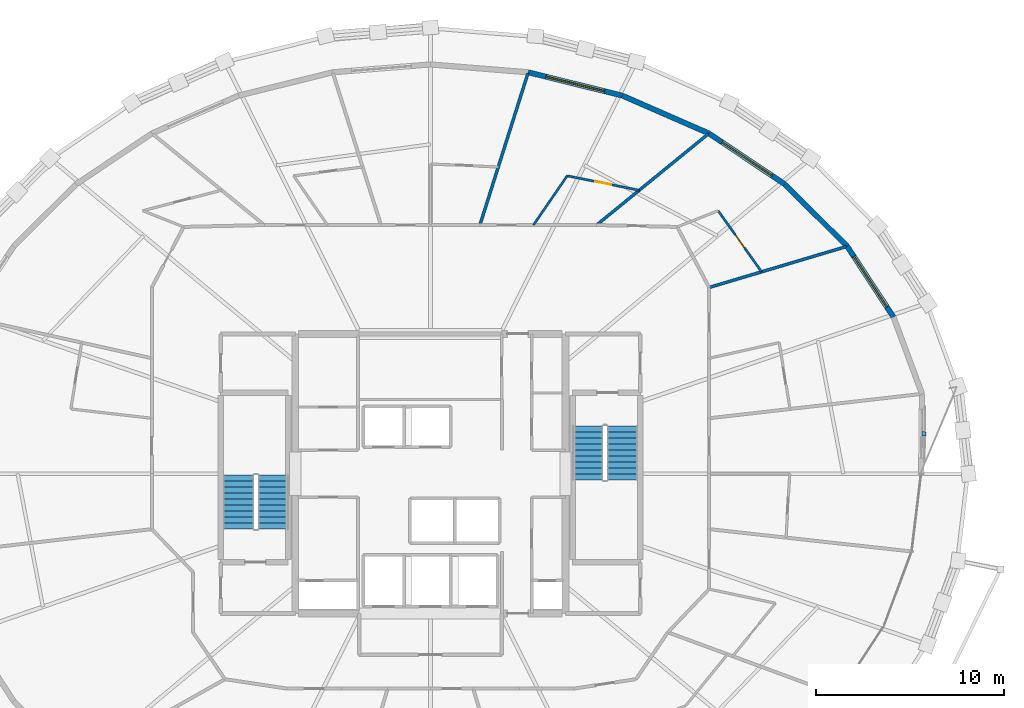
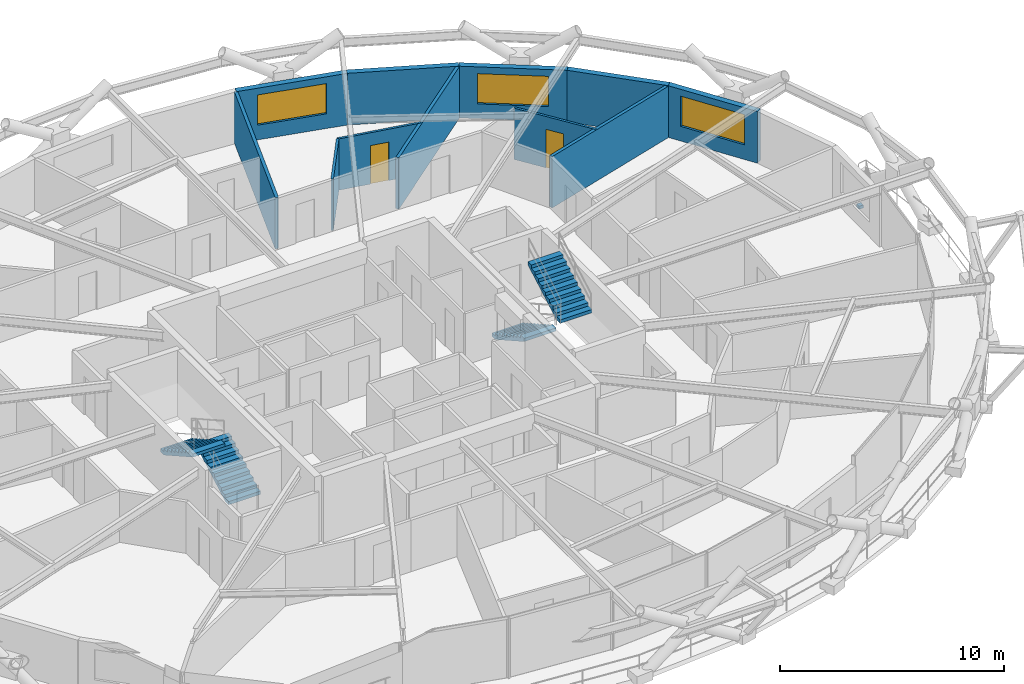
# One storey, part 18 of 21: 11 walls, 4 stair flights, 3 windows, 2 doors, 1 discrete accessory, 5 openings, 2 elements without a shape of their own.
"""IFC4 building model written with IfcOpenShell, lengths in metres."""

from ifc_helpers import new_model, si_unit, direction, frame, frame_2d, origin, origin_2d, place, context, subcontext, project, spatial, polyline, rectangle, outline, extrude, material, layer, layer_set, type_object, element, fill, aggregate, save


model = new_model("IFC4")

# Units and contexts
model_context = context("Model", 3, precision=1e-05, world=origin(), true_north=direction((0.0, 1.0)))
body_context = subcontext(model_context, "Body", "Model", "MODEL_VIEW")
ifc_project = project(units=[si_unit("LENGTHUNIT", "METRE"), si_unit("AREAUNIT", "SQUARE_METRE"), si_unit("VOLUMEUNIT", "CUBIC_METRE"), si_unit("PLANEANGLEUNIT", "RADIAN"), si_unit("MASSUNIT", "GRAM", prefix="KILO")], contexts=[model_context])

# Site, building, storey
site_placement = place(None, origin())
site = spatial("IfcSite", under=ifc_project, at=site_placement, CompositionType="ELEMENT")
building_placement = place(site_placement, origin())
building = spatial("IfcBuilding", under=site, at=building_placement, Name="Veldorina Hangang Commons", CompositionType="ELEMENT")
storey_placement = place(building_placement, frame((0.0, 0.0, 120.800048828125)))
storey = spatial("IfcBuildingStorey", under=building, at=storey_placement, Name="L30", CompositionType="ELEMENT", Elevation=120.800048828125)

# Wall, opening, window
ifc_material_1 = material(Name="Stone Roman Travertine", Category="masonry")
ifc_layer_1 = layer(ifc_material_1, 0.280029296875)
ifc_layer_set_1 = layer_set([ifc_layer_1], Name="Stone Roman Travertine")
wall_type_1 = type_object("IfcWallType", Name="EW-TRAV-280", PredefinedType="STANDARD", material=ifc_layer_set_1)
wall_1_placement = place(storey_placement, frame((56.674072265625, 32.34521484375, 0.0), z_axis=(0.0, 0.0, 1.0), x_axis=(-0.547716413999, 0.836664048371, 0.0)))
wall_1 = element("IfcWall", 1, at=wall_1_placement, inside=storey, type_object=wall_type_1, Name="L30 travertine facade wall 02", PredefinedType="STANDARD", context=body_context, shape_type="SweptSolid", body=[
    extrude(rectangle(XDim=4.506103515625, YDim=0.280029296875, at=frame_2d((2.2529296875, 0.0))), origin(), (0.0, 0.0, 1.0), 2.820068359375),
])
opening_1_placement = place(wall_1_placement, frame((0.653076171875, 0.0, 0.800048828125)))
opening_1 = element("IfcOpeningElement", 2, at=opening_1_placement, cuts=wall_1, Name="Opening W-01", PredefinedType="OPENING", context=body_context, shape_type="SweptSolid", body=[
    extrude(rectangle(XDim=3.199951171875, YDim=1.64990234375, at=frame_2d((1.60009765625, 0.824951171875))), frame((0.0, 0.14990234375, 0.0), z_axis=(0.0, -1.0, 0.0), x_axis=(1.0, 0.0, 0.0)), (0.0, 0.0, 1.0), 0.300048828125),
])
ifc_material_2 = material(Name="Glass Low-E Triple IGU", Category="glass")
window_type = type_object("IfcWindowType", Name="WIN-TWR-3200", PartitioningType="SINGLE_PANEL", PredefinedType="WINDOW", material=ifc_material_2)
window_1_placement = place(opening_1_placement, origin())
window_1 = element("IfcWindow", 3, at=window_1_placement, inside=storey, type_object=window_type, Name="L30 facade window 02", OverallHeight=1.64990234375, OverallWidth=3.199951171875, PartitioningType="SINGLE_PANEL", PredefinedType="WINDOW", context=body_context, shape_type="SweptSolid", body=[
    extrude(rectangle(XDim=3.199951171875, YDim=1.64990234375, at=frame_2d((1.60009765625, 0.824951171875))), frame((0.0, 0.030029296875, 0.0), z_axis=(0.0, -1.0, 0.0), x_axis=(1.0, 0.0, 0.0)), (0.0, 0.0, 1.0), 0.06005859375),
])
fill(opening_1, window_1)

# Wall
wall_2_placement = place(storey_placement, frame((54.2060546875, 36.115234375, 0.0), z_axis=(0.0, 0.0, 1.0), x_axis=(-0.708876231206, 0.705332892208, 0.0)))
element("IfcWall", 4, at=wall_2_placement, inside=storey, type_object=wall_type_1, Name="L30 travertine facade wall 03", PredefinedType="STANDARD", context=body_context, shape_type="SweptSolid", body=[
    extrude(rectangle(XDim=4.685302734375, YDim=0.280029296875, at=frame_2d((2.3427734375, 0.0))), origin(), (0.0, 0.0, 1.0), 2.820068359375),
])

# Wall, opening, window
wall_3_placement = place(storey_placement, frame((50.884765625, 39.419921875, 0.0), z_axis=(0.0, 0.0, 1.0), x_axis=(-0.830737301714, 0.556664652678, 0.0)))
wall_3 = element("IfcWall", 5, at=wall_3_placement, inside=storey, type_object=wall_type_1, Name="L30 travertine facade wall 04", PredefinedType="STANDARD", context=body_context, shape_type="SweptSolid", body=[
    extrude(rectangle(XDim=4.871826171875, YDim=0.280029296875, at=frame_2d((2.43603515625, 0.0))), origin(), (0.0, 0.0, 1.0), 2.820068359375),
])
opening_2_placement = place(wall_3_placement, frame((0.8359375, 0.0, 0.800048828125)))
opening_2 = element("IfcOpeningElement", 6, at=opening_2_placement, cuts=wall_3, Name="Opening W-01", PredefinedType="OPENING", context=body_context, shape_type="SweptSolid", body=[
    extrude(rectangle(XDim=3.199951171875, YDim=1.64990234375, at=frame_2d((1.60009765625, 0.824951171875))), frame((0.0, 0.14990234375, 0.0), z_axis=(0.0, -1.0, 0.0), x_axis=(1.0, 0.0, 0.0)), (0.0, 0.0, 1.0), 0.300048828125),
])
window_2_placement = place(opening_2_placement, origin())
window_2 = element("IfcWindow", 7, at=window_2_placement, inside=storey, type_object=window_type, Name="L30 facade window 04", OverallHeight=1.64990234375, OverallWidth=3.199951171875, PartitioningType="SINGLE_PANEL", PredefinedType="WINDOW", context=body_context, shape_type="SweptSolid", body=[
    extrude(rectangle(XDim=3.199951171875, YDim=1.64990234375, at=frame_2d((1.60009765625, 0.824951171875))), frame((0.0, 0.030029296875, 0.0), z_axis=(0.0, -1.0, 0.0), x_axis=(1.0, 0.0, 0.0)), (0.0, 0.0, 1.0), 0.06005859375),
])
fill(opening_2, window_2)

# Wall
wall_4_placement = place(storey_placement, frame((46.837646484375, 42.1318359375, 0.0), z_axis=(0.0, 0.0, 1.0), x_axis=(-0.916520644769, 0.399987384441, 0.0)))
element("IfcWall", 8, at=wall_4_placement, inside=storey, type_object=wall_type_1, Name="L30 travertine facade wall 05", PredefinedType="STANDARD", context=body_context, shape_type="SweptSolid", body=[
    extrude(rectangle(XDim=5.0380859375, YDim=0.280029296875, at=frame_2d((2.51904296875, 0.0))), origin(), (0.0, 0.0, 1.0), 2.820068359375),
])

# Wall, opening, window
wall_5_placement = place(storey_placement, frame((42.22021484375, 44.14697265625, 0.0), z_axis=(0.0, 0.0, 1.0), x_axis=(-0.970666096737, 0.240431546694, 0.0)))
wall_5 = element("IfcWall", 9, at=wall_5_placement, inside=storey, type_object=wall_type_1, Name="L30 travertine facade wall 06", PredefinedType="STANDARD", context=body_context, shape_type="SweptSolid", body=[
    extrude(rectangle(XDim=5.161376953125, YDim=0.280029296875, at=frame_2d((2.58056640625, 0.0))), origin(), (0.0, 0.0, 1.0), 2.820068359375),
])
opening_3_placement = place(wall_5_placement, frame((0.980712890625, 0.0, 0.800048828125)))
opening_3 = element("IfcOpeningElement", 10, at=opening_3_placement, cuts=wall_5, Name="Opening W-01", PredefinedType="OPENING", context=body_context, shape_type="SweptSolid", body=[
    extrude(rectangle(XDim=3.199951171875, YDim=1.64990234375, at=frame_2d((1.60009765625, 0.824951171875))), frame((0.0, 0.14990234375, 0.0), z_axis=(0.0, -1.0, 0.0), x_axis=(1.0, 0.0, 0.0)), (0.0, 0.0, 1.0), 0.300048828125),
])
window_3_placement = place(opening_3_placement, origin())
window_3 = element("IfcWindow", 11, at=window_3_placement, inside=storey, type_object=window_type, Name="L30 facade window 06", OverallHeight=1.64990234375, OverallWidth=3.199951171875, PartitioningType="SINGLE_PANEL", PredefinedType="WINDOW", context=body_context, shape_type="SweptSolid", body=[
    extrude(rectangle(XDim=3.199951171875, YDim=1.64990234375, at=frame_2d((1.60009765625, 0.824951171875))), frame((0.0, 0.030029296875, 0.0), z_axis=(0.0, -1.0, 0.0), x_axis=(1.0, 0.0, 0.0)), (0.0, 0.0, 1.0), 0.06005859375),
])
fill(opening_3, window_3)

# Walls
ifc_material_3 = material(Name="Gypsum Fire-Rated Twin Stud Wall", Category="gypsum")
ifc_layer_2 = layer(ifc_material_3, 0.159912109375)
ifc_layer_set_2 = layer_set([ifc_layer_2], Name="Gypsum Fire-Rated Twin Stud Wall")
wall_type_2 = type_object("IfcWallType", Name="WL-FIRE-160", PredefinedType="SOLIDWALL", material=ifc_layer_set_2)
wall_6_placement = place(storey_placement, frame((46.85009765625, 33.922607421875, 0.0), z_axis=(0.0, 0.0, 1.0), x_axis=(0.958328823474, 0.285667404685, 0.0)))
element("IfcWall", 12, at=wall_6_placement, inside=storey, type_object=wall_type_2, Name="L30 Unit party wall 03 092", PredefinedType="SOLIDWALL", context=body_context, shape_type="SweptSolid", body=[
    extrude(rectangle(XDim=7.6259765625, YDim=0.159912109375, at=frame_2d((3.81298828125, 0.0))), origin(), (0.0, 0.0, 1.0), 2.800048828125),
])
wall_7_placement = place(storey_placement, frame((40.853515625, 37.25, 0.0), z_axis=(0.0, 0.0, 1.0), x_axis=(0.774866661355, 0.632124716429, 0.0)))
element("IfcWall", 13, at=wall_7_placement, inside=storey, type_object=wall_type_2, Name="L30 Unit party wall 05 095", PredefinedType="SOLIDWALL", context=body_context, shape_type="SweptSolid", body=[
    extrude(rectangle(XDim=7.672607421875, YDim=0.159912109375, at=frame_2d((3.83642578125, 0.0))), origin(), (0.0, 0.0, 1.0), 2.800048828125),
])
wall_8_placement = place(storey_placement, frame((34.635498046875, 37.25, 0.0), z_axis=(0.0, 0.0, 1.0), x_axis=(0.30167247597, 0.953411620048, 0.0)))
element("IfcWall", 14, at=wall_8_placement, inside=storey, type_object=wall_type_2, Name="L30 Unit party wall 07 098", PredefinedType="SOLIDWALL", context=body_context, shape_type="SweptSolid", body=[
    extrude(rectangle(XDim=8.4853515625, YDim=0.159912109375, at=frame_2d((4.24267578125, 0.0))), origin(), (0.0, 0.0, 1.0), 2.800048828125),
])

# Wall, opening, door
ifc_material_4 = material(Name="Gypsum Acoustic Stud Partition", Category="gypsum")
ifc_layer_3 = layer(ifc_material_4, 0.1201171875)
ifc_layer_set_3 = layer_set([ifc_layer_3], Name="Gypsum Acoustic Stud Partition")
wall_type_3 = type_object("IfcWallType", Name="WL-PART-120", PredefinedType="PARTITIONING", material=ifc_layer_set_3)
wall_9_placement = place(storey_placement, frame((49.645263671875, 34.755859375, 0.0), z_axis=(0.0, 0.0, 1.0), x_axis=(-0.579584195977, 0.814912363248, 0.0)))
wall_9 = element("IfcWall", 15, at=wall_9_placement, inside=storey, type_object=wall_type_3, Name="L30 Studio 5 bath front wall 093", PredefinedType="PARTITIONING", context=body_context, shape_type="SweptSolid", body=[
    extrude(rectangle(XDim=3.996337890625, YDim=0.1201171875, at=frame_2d((1.998046875, 0.0))), origin(), (0.0, 0.0, 1.0), 2.800048828125),
])
opening_4_placement = place(wall_9_placement, frame((1.568115234375, 0.0, 0.0)))
opening_4 = element("IfcOpeningElement", 16, at=opening_4_placement, cuts=wall_9, Name="Opening D-01", PredefinedType="OPENING", context=body_context, shape_type="SweptSolid", body=[
    extrude(rectangle(XDim=0.860107421875, YDim=2.10009765625, at=frame_2d((0.43017578125, 1.050048828125))), frame((0.0, 0.070068359375, 0.0), z_axis=(0.0, -1.0, 0.0), x_axis=(1.0, 0.0, 0.0)), (0.0, 0.0, 1.0), 0.14013671875),
])
ifc_material_5 = material(Name="Timber Moisture-Resistant Core", Category="wood")
door_type = type_object("IfcDoorType", Name="DR-WET-860", OperationType="SINGLE_SWING_LEFT", PredefinedType="DOOR", material=ifc_material_5)
door_1_placement = place(opening_4_placement, origin())
door_1 = element("IfcDoor", 17, at=door_1_placement, inside=storey, type_object=door_type, Name="L30 Studio 5 bathroom door 028", OperationType="SINGLE_SWING_RIGHT", OverallHeight=2.10009765625, OverallWidth=0.860107421875, PredefinedType="DOOR", context=body_context, shape_type="SweptSolid", body=[
    extrude(rectangle(XDim=0.860107421875, YDim=2.10009765625, at=frame_2d((0.43017578125, 1.050048828125))), frame((0.0, 0.02490234375, 0.0), z_axis=(0.0, -1.0, 0.0), x_axis=(1.0, 0.0, 0.0)), (0.0, 0.0, 1.0), 0.050048828125),
])
fill(opening_4, door_1)

wall_10_placement = place(storey_placement, frame((43.12744140625, 39.10498046875, 0.0), z_axis=(0.0, 0.0, 1.0), x_axis=(-0.980693200797, 0.195552667868, 0.0)))
wall_10 = element("IfcWall", 18, at=wall_10_placement, inside=storey, type_object=wall_type_3, Name="L30 Studio 6 bath front wall 096", PredefinedType="PARTITIONING", context=body_context, shape_type="SweptSolid", body=[
    extrude(rectangle(XDim=3.91650390625, YDim=0.1201171875, at=frame_2d((1.958251953125, 0.0))), origin(), (0.0, 0.0, 1.0), 2.800048828125),
])
opening_5_placement = place(wall_10_placement, frame((1.5283203125, 0.0, 0.0)))
opening_5 = element("IfcOpeningElement", 19, at=opening_5_placement, cuts=wall_10, Name="Opening D-01", PredefinedType="OPENING", context=body_context, shape_type="SweptSolid", body=[
    extrude(rectangle(XDim=0.860107421875, YDim=2.10009765625, at=frame_2d((0.43017578125, 1.050048828125))), frame((0.0, 0.070068359375, 0.0), z_axis=(0.0, -1.0, 0.0), x_axis=(1.0, 0.0, 0.0)), (0.0, 0.0, 1.0), 0.14013671875),
])
door_2_placement = place(opening_5_placement, origin())
door_2 = element("IfcDoor", 20, at=door_2_placement, inside=storey, type_object=door_type, Name="L30 Studio 6 bathroom door 030", OperationType="SINGLE_SWING_RIGHT", OverallHeight=2.10009765625, OverallWidth=0.860107421875, PredefinedType="DOOR", context=body_context, shape_type="SweptSolid", body=[
    extrude(rectangle(XDim=0.860107421875, YDim=2.10009765625, at=frame_2d((0.43017578125, 1.050048828125))), frame((0.0, 0.02490234375, 0.0), z_axis=(0.0, -1.0, 0.0), x_axis=(1.0, 0.0, 0.0)), (0.0, 0.0, 1.0), 0.050048828125),
])
fill(opening_5, door_2)

# Wall
wall_11_placement = place(storey_placement, frame((37.48828125, 37.25, 0.0), z_axis=(0.0, 0.0, 1.0), x_axis=(0.56578208736, 0.824554806925, 0.0)))
element("IfcWall", 21, at=wall_11_placement, inside=storey, type_object=wall_type_3, Name="L30 Studio 6 bath side wall 097", PredefinedType="PARTITIONING", context=body_context, shape_type="SweptSolid", body=[
    extrude(rectangle(XDim=3.178466796875, YDim=0.1201171875, at=frame_2d((1.58935546875, 0.0))), origin(), (0.0, 0.0, 1.0), 2.800048828125),
])

# Stair, stair flights
ifc_material_6 = material(Name="Concrete C40/50", Category="concrete")
stair_type = type_object("IfcStairType", Name="STR-DOG-1650-20R", PredefinedType="HALF_TURN_STAIR", material=ifc_material_6)
stair_1_placement = place(storey_placement, origin())
stair_1 = element("IfcStair", 22, at=stair_1_placement, inside=storey, type_object=stair_type, Name="L30 Exit stair ST-1", PredefinedType="HALF_TURN_STAIR")
stair_flight_type = type_object("IfcStairFlightType", Name="SFL-STR-1650-20R", PredefinedType="STRAIGHT", material=ifc_material_6)
stair_flight_1_placement = place(storey_placement, frame((23.625, 21.050048828125, 0.0), z_axis=(0.0, 0.0, 1.0), x_axis=(0.0, 1.0, 0.0)))
stair_flight_1 = element("IfcStairFlight", 23, at=stair_flight_1_placement, type_object=stair_flight_type, Name="ST-1 flight 1", NumberOfRisers=10, NumberOfTreads=9, PredefinedType="STRAIGHT", RiserHeight=0.18, TreadLength=0.32, context=body_context, shape_type="SweptSolid", body=[
    extrude(outline(polyline([(0.0, 0.0), (0.0, 0.179931640625), (0.320068359375, 0.179931640625), (0.320068359375, 0.360107421875), (0.639892578125, 0.360107421875), (0.639892578125, 0.5400390625), (0.9599609375, 0.5400390625), (0.9599609375, 0.719970703125), (1.280029296875, 0.719970703125), (1.280029296875, 0.89990234375), (1.60009765625, 0.89990234375), (1.60009765625, 1.080078125), (1.919921875, 1.080078125), (1.919921875, 1.260009765625), (2.239990234375, 1.260009765625), (2.239990234375, 1.43994140625), (2.56005859375, 1.43994140625), (2.56005859375, 1.6201171875), (2.8798828125, 1.6201171875), (2.8798828125, 1.800048828125), (2.8798828125, 1.447998046875), (0.3056640625, 0.0), (0.0, 0.0)])), frame((0.0, 0.824951171875, 0.0), z_axis=(0.0, -1.0, 0.0), x_axis=(1.0, 0.0, 0.0)), (0.0, 0.0, 1.0), 1.64990234375),
])
stair_flight_2_placement = place(storey_placement, frame((21.77490234375, 23.929931640625, 1.800048828125), z_axis=(0.0, 0.0, 1.0), x_axis=(0.0, -1.0, 0.0)))
stair_flight_2 = element("IfcStairFlight", 24, at=stair_flight_2_placement, type_object=stair_flight_type, Name="ST-1 flight 2", NumberOfRisers=10, NumberOfTreads=9, PredefinedType="STRAIGHT", RiserHeight=0.18, TreadLength=0.32, context=body_context, shape_type="SweptSolid", body=[
    extrude(outline(polyline([(0.0, 0.0), (0.0, 0.179931640625), (0.320068359375, 0.179931640625), (0.320068359375, 0.360107421875), (0.639892578125, 0.360107421875), (0.639892578125, 0.5400390625), (0.9599609375, 0.5400390625), (0.9599609375, 0.719970703125), (1.280029296875, 0.719970703125), (1.280029296875, 0.89990234375), (1.60009765625, 0.89990234375), (1.60009765625, 1.080078125), (1.919921875, 1.080078125), (1.919921875, 1.260009765625), (2.239990234375, 1.260009765625), (2.239990234375, 1.43994140625), (2.56005859375, 1.43994140625), (2.56005859375, 1.6201171875), (2.8798828125, 1.6201171875), (2.8798828125, 1.800048828125), (2.8798828125, 1.447998046875), (0.3056640625, 0.0), (0.0, 0.0)])), frame((0.0, 0.824951171875, 0.0), z_axis=(0.0, -1.0, 0.0), x_axis=(1.0, 0.0, 0.0)), (0.0, 0.0, 1.0), 1.64990234375),
])
aggregate(stair_1, [stair_flight_1, stair_flight_2])

stair_2_placement = place(storey_placement, origin())
stair_2 = element("IfcStair", 25, at=stair_2_placement, inside=storey, type_object=stair_type, Name="L30 Exit stair ST-2", PredefinedType="HALF_TURN_STAIR")
stair_flight_3_placement = place(storey_placement, frame((40.375, 26.550048828125, 0.0), z_axis=(0.0, 0.0, 1.0), x_axis=(0.0, -1.0, 0.0)))
stair_flight_3 = element("IfcStairFlight", 26, at=stair_flight_3_placement, type_object=stair_flight_type, Name="ST-2 flight 1", NumberOfRisers=10, NumberOfTreads=9, PredefinedType="STRAIGHT", RiserHeight=0.18, TreadLength=0.32, context=body_context, shape_type="SweptSolid", body=[
    extrude(outline(polyline([(0.0, 0.0), (0.0, 0.179931640625), (0.320068359375, 0.179931640625), (0.320068359375, 0.360107421875), (0.639892578125, 0.360107421875), (0.639892578125, 0.5400390625), (0.9599609375, 0.5400390625), (0.9599609375, 0.719970703125), (1.280029296875, 0.719970703125), (1.280029296875, 0.89990234375), (1.60009765625, 0.89990234375), (1.60009765625, 1.080078125), (1.919921875, 1.080078125), (1.919921875, 1.260009765625), (2.239990234375, 1.260009765625), (2.239990234375, 1.43994140625), (2.56005859375, 1.43994140625), (2.56005859375, 1.6201171875), (2.8798828125, 1.6201171875), (2.8798828125, 1.800048828125), (2.8798828125, 1.447998046875), (0.3056640625, 0.0), (0.0, 0.0)])), frame((0.0, 0.824951171875, 0.0), z_axis=(0.0, -1.0, 0.0), x_axis=(1.0, 0.0, 0.0)), (0.0, 0.0, 1.0), 1.64990234375),
])
stair_flight_4_placement = place(storey_placement, frame((42.22509765625, 23.669921875, 1.800048828125), z_axis=(0.0, 0.0, 1.0), x_axis=(0.0, 1.0, 0.0)))
stair_flight_4 = element("IfcStairFlight", 27, at=stair_flight_4_placement, type_object=stair_flight_type, Name="ST-2 flight 2", NumberOfRisers=10, NumberOfTreads=9, PredefinedType="STRAIGHT", RiserHeight=0.18, TreadLength=0.32, context=body_context, shape_type="SweptSolid", body=[
    extrude(outline(polyline([(0.0, 0.0), (0.0, 0.179931640625), (0.320068359375, 0.179931640625), (0.320068359375, 0.360107421875), (0.639892578125, 0.360107421875), (0.639892578125, 0.5400390625), (0.9599609375, 0.5400390625), (0.9599609375, 0.719970703125), (1.280029296875, 0.719970703125), (1.280029296875, 0.89990234375), (1.60009765625, 0.89990234375), (1.60009765625, 1.080078125), (1.919921875, 1.080078125), (1.919921875, 1.260009765625), (2.239990234375, 1.260009765625), (2.239990234375, 1.43994140625), (2.56005859375, 1.43994140625), (2.56005859375, 1.6201171875), (2.8798828125, 1.6201171875), (2.8798828125, 1.800048828125), (2.8798828125, 1.447998046875), (0.3056640625, 0.0), (0.0, 0.0)])), frame((0.0, 0.824951171875, 0.0), z_axis=(0.0, -1.0, 0.0), x_axis=(1.0, 0.0, 0.0)), (0.0, 0.0, 1.0), 1.64990234375),
])
aggregate(stair_2, [stair_flight_3, stair_flight_4])

# Discrete accessory
ifc_material_7 = material(Name="Stainless Steel Brushed 316", Category="steel")
discrete_accessory_type = type_object("IfcDiscreteAccessoryType", Name="BRK-SCR-SS", PredefinedType="BRACKET", material=ifc_material_7)
discrete_accessory_placement = place(storey_placement, frame((58.290283203125, 26.125732421875, 0.72021484375), z_axis=(0.0, 0.0, 1.0), x_axis=(0.010995352723, 0.999939549282, 0.0)))
element("IfcDiscreteAccessory", 28, at=discrete_accessory_placement, inside=storey, type_object=discrete_accessory_type, Name="L30 solar screen support bracket 00", PredefinedType="BRACKET", context=body_context, shape_type="SweptSolid", body=[
    extrude(rectangle(XDim=0.219970703125, YDim=0.219970703125, at=origin_2d()), origin(), (0.0, 0.0, 1.0), 0.159912109375),
])

save(model, "model.ifc")
